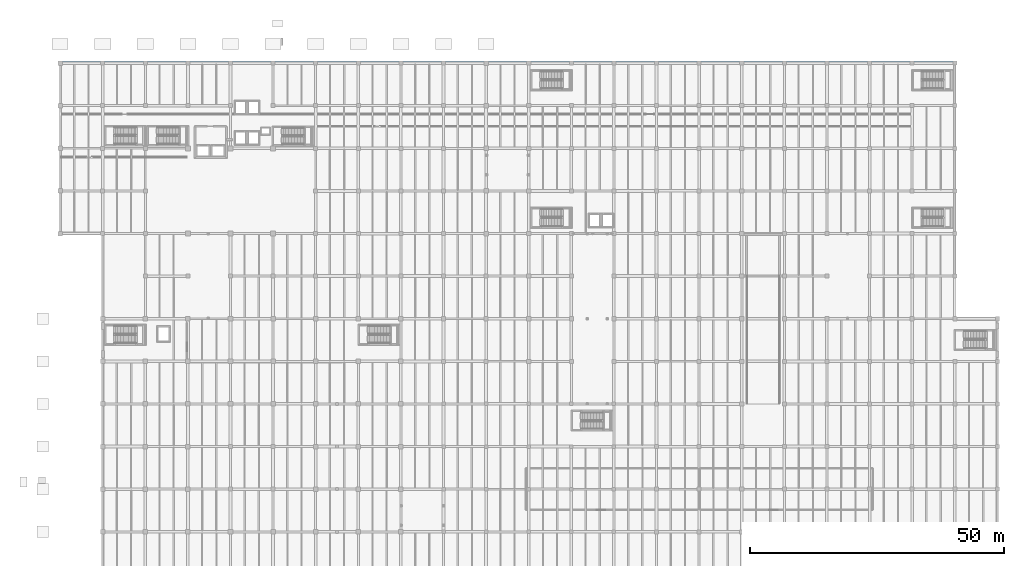
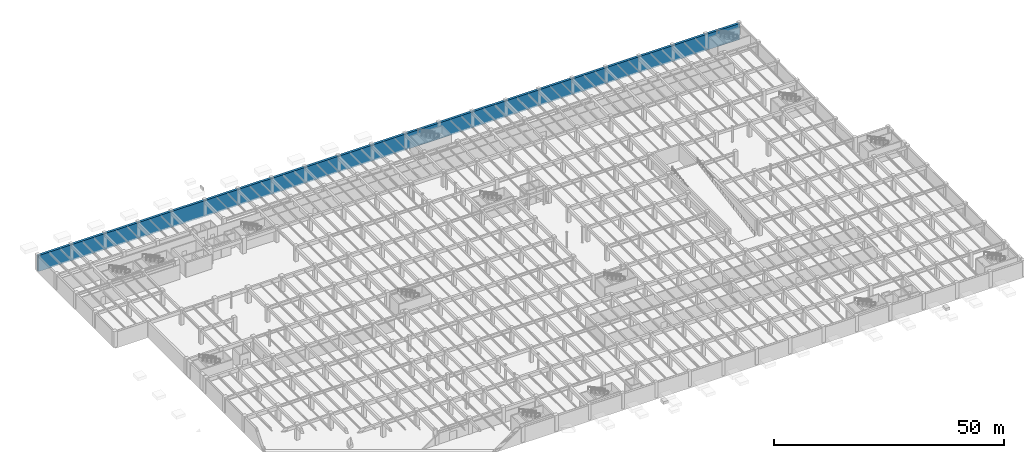
# One storey, part 41 of 63: 1 wall.
"""IFC4 building model written with IfcOpenShell, lengths in metres."""

from ifc_helpers import new_model, si_unit, direction, frame, frame_2d, origin, place, context, subcontext, project, spatial, rectangle, extrude, material, layer, layer_set, type_object, element, save


model = new_model("IFC4")

# Units and contexts
model_context = context("Model", 3, precision=1e-05, world=origin(), true_north=direction((0.0, 1.0)))
body_context = subcontext(model_context, "Body", "Model", "MODEL_VIEW")
ifc_project = project(units=[si_unit("LENGTHUNIT", "METRE"), si_unit("AREAUNIT", "SQUARE_METRE"), si_unit("VOLUMEUNIT", "CUBIC_METRE"), si_unit("PLANEANGLEUNIT", "RADIAN"), si_unit("MASSUNIT", "GRAM", prefix="KILO")], contexts=[model_context])

# Site, building, storey
site_placement = place(None, origin())
site = spatial("IfcSite", under=ifc_project, at=site_placement, CompositionType="ELEMENT")
building_placement = place(site_placement, origin())
building = spatial("IfcBuilding", under=site, at=building_placement, Name="Cumbredor Promenade Congress Hotel", CompositionType="ELEMENT")
storey_placement = place(building_placement, frame((0.0, 0.0, -4.199951171875)))
storey = spatial("IfcBuildingStorey", under=building, at=storey_placement, Name="B01", CompositionType="ELEMENT", Elevation=-4.199951171875)

# Wall
ifc_material = material(Name="Concrete C40/50", Category="concrete")
ifc_layer = layer(ifc_material, 0.60009765625, Name="Concrete C40/50", Category="concrete")
ifc_layer_set = layer_set([ifc_layer], Name="Concrete C40/50")
wall_type = type_object("IfcWallType", Name="Basement Retaining Wall 600mm", PredefinedType="USERDEFINED", material=ifc_layer_set)
wall_placement = place(storey_placement, frame((176.39990234375, 117.60009765625, -0.400146484375), z_axis=(0.0, 0.0, 1.0), x_axis=(-1.0, 0.0, 0.0)))
element("IfcWall", 1, at=wall_placement, inside=storey, type_object=wall_type, Name="B01 Basement Retaining Wall RW-B01-05", ObjectType="RETAINING WALL", PredefinedType="USERDEFINED", context=body_context, shape_type="SweptSolid", body=[
    extrude(rectangle(XDim=176.39990234375, YDim=0.60009765625, at=frame_2d((88.199951171875, 0.0))), origin(), (0.0, 0.0, 1.0), 4.25),
])

save(model, "model.ifc")
